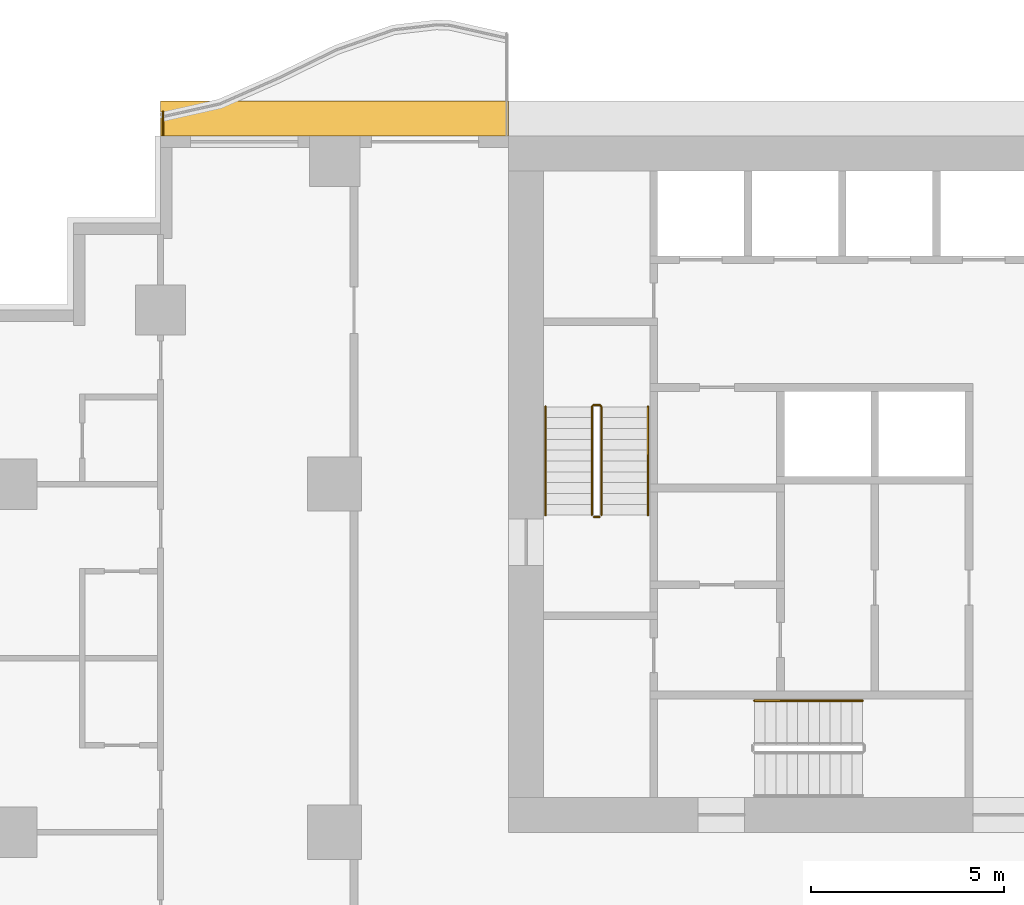
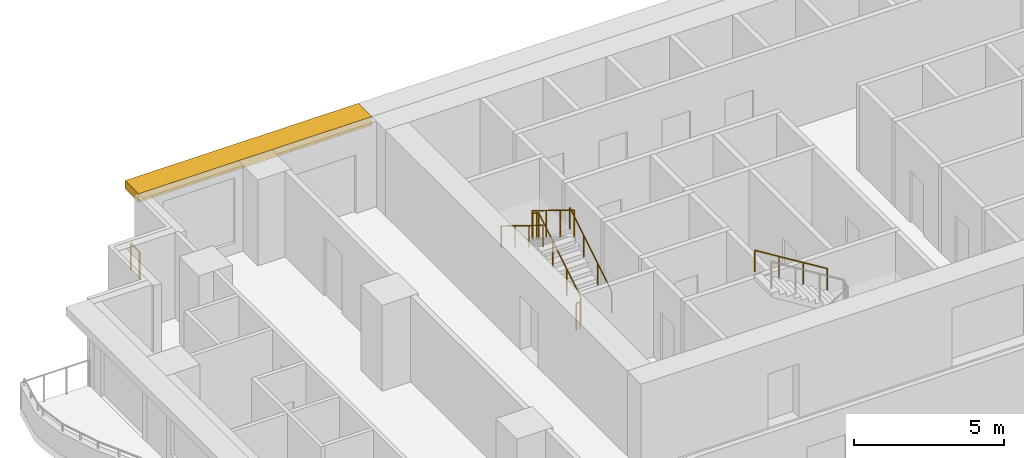
# One storey, part 12 of 14: 6 railings, 1 shading device.
"""IFC4 building model written with IfcOpenShell, lengths in metres."""

from ifc_helpers import new_model, si_unit, direction, frame, origin, origin_2d, place, context, subcontext, project, spatial, polyline, rectangle, circle, outline, extrude, material, layer, layer_set, type_object, element, save


model = new_model("IFC4")

# Units and contexts
model_context = context("Model", 3, precision=1e-05, world=origin(), true_north=direction((0.0, 1.0)))
body_context = subcontext(model_context, "Body", "Model", "MODEL_VIEW")
ifc_project = project(units=[si_unit("LENGTHUNIT", "METRE"), si_unit("AREAUNIT", "SQUARE_METRE"), si_unit("VOLUMEUNIT", "CUBIC_METRE"), si_unit("PLANEANGLEUNIT", "RADIAN"), si_unit("MASSUNIT", "GRAM", prefix="KILO")], contexts=[model_context])

# Site, building, storey
site_placement = place(None, origin())
site = spatial("IfcSite", under=ifc_project, at=site_placement, CompositionType="ELEMENT")
building_placement = place(site_placement, origin())
building = spatial("IfcBuilding", under=site, at=building_placement, Name="Orbiselva Terraces", CompositionType="ELEMENT")
storey_placement = place(building_placement, frame((0.0, 0.0, 80.8)))
storey = spatial("IfcBuildingStorey", under=building, at=storey_placement, Name="L20", CompositionType="ELEMENT", Elevation=80.8)

# Railings
ifc_material_1 = material(Name="Stainless steel", Category="steel")
railing_type_1 = type_object("IfcRailingType", Name="CORE-GUARD-1100", PredefinedType="GUARDRAIL", material=ifc_material_1)
railing_1_placement = place(storey_placement, frame((-11.1, 12.7, 0.172727)))
element("IfcRailing", 1, at=railing_1_placement, inside=storey, type_object=railing_type_1, Name="L20 S1 stair guard 1", PredefinedType="GUARDRAIL", context=body_context, shape_type="SweptSolid", body=[
    extrude(circle(Radius=0.024, at=origin_2d()), frame((0.0, 0.0, 1.081), z_axis=(0.0, 0.851088519012, 0.52502222125), x_axis=(-1.0, 0.0, 0.0)), (0.0, 0.0, 1.0), 3.289905),
    extrude(circle(Radius=0.024, at=origin_2d()), frame((0.0, 2.8, 2.808273), z_axis=(-0.707106781187, 0.707106781187, 0.0), x_axis=(-0.707106781187, -0.707106781187, 0.0)), (0.0, 0.0, 1.0), 0.070711),
    extrude(circle(Radius=0.024, at=origin_2d()), frame((-0.05, 2.85, 2.808273), z_axis=(-1.0, 0.0, 0.0), x_axis=(0.0, -1.0, 0.0)), (0.0, 0.0, 1.0), 0.15),
    extrude(circle(Radius=0.024, at=origin_2d()), frame((-0.2, 2.85, 2.808273), z_axis=(-0.267894925557, -0.267894925557, 0.925453736133), x_axis=(0.707106781187, -0.707106781187, 0.0)), (0.0, 0.0, 1.0), 0.18664),
    extrude(circle(Radius=0.024, at=origin_2d()), frame((-0.25, 2.8, 2.981), z_axis=(0.0, -0.851088519012, 0.52502222125), x_axis=(1.0, 0.0, 0.0)), (0.0, 0.0, 1.0), 3.289905),
    extrude(circle(Radius=0.021, at=origin_2d()), origin(), (0.0, 0.0, 1.0), 1.057),
    extrude(circle(Radius=0.021, at=origin_2d()), frame((0.0, 0.933333, 0.575758)), (0.0, 0.0, 1.0), 1.057),
    extrude(circle(Radius=0.021, at=origin_2d()), frame((0.0, 1.866667, 1.151515)), (0.0, 0.0, 1.0), 1.057),
    extrude(circle(Radius=0.021, at=origin_2d()), frame((0.0, 2.8, 1.727273)), (0.0, 0.0, 1.0), 1.057),
    extrude(circle(Radius=0.021, at=origin_2d()), frame((-0.05, 2.85, 1.727273)), (0.0, 0.0, 1.0), 1.057),
    extrude(circle(Radius=0.021, at=origin_2d()), frame((-0.2, 2.85, 1.727273)), (0.0, 0.0, 1.0), 1.057),
    extrude(circle(Radius=0.021, at=origin_2d()), frame((-0.25, 2.8, 1.9)), (0.0, 0.0, 1.0), 1.057),
    extrude(circle(Radius=0.021, at=origin_2d()), frame((-0.25, 1.866667, 2.475758)), (0.0, 0.0, 1.0), 1.057),
    extrude(circle(Radius=0.021, at=origin_2d()), frame((-0.25, 0.933333, 3.051515)), (0.0, 0.0, 1.0), 1.057),
    extrude(circle(Radius=0.021, at=origin_2d()), frame((-0.25, 0.0, 3.627273)), (0.0, 0.0, 1.0), 1.057),
])
railing_2_placement = place(storey_placement, frame((-11.15, 12.65, 0.0)))
element("IfcRailing", 2, at=railing_2_placement, inside=storey, type_object=railing_type_1, Name="L20 S1 stair guard 2", PredefinedType="GUARDRAIL", context=body_context, shape_type="SweptSolid", body=[
    extrude(circle(Radius=0.024, at=origin_2d()), frame((0.0, 0.0, 1.081), z_axis=(-1.0, 0.0, 0.0), x_axis=(0.0, -1.0, 0.0)), (0.0, 0.0, 1.0), 0.15),
    extrude(circle(Radius=0.021, at=origin_2d()), origin(), (0.0, 0.0, 1.0), 1.057),
    extrude(circle(Radius=0.021, at=origin_2d()), frame((-0.15, 0.0, 0.0)), (0.0, 0.0, 1.0), 1.057),
])
railing_type_2 = type_object("IfcRailingType", Name="CORE-HANDRAIL-900", PredefinedType="HANDRAIL", material=ifc_material_1)
railing_3_placement = place(storey_placement, frame((-9.9, 12.7, 0.172727)))
element("IfcRailing", 3, at=railing_3_placement, inside=storey, type_object=railing_type_2, Name="L20 S1 stair handrail 1", PredefinedType="HANDRAIL", context=body_context, shape_type="SweptSolid", body=[
    extrude(circle(Radius=0.024, at=origin_2d()), frame((0.0, 0.0, 0.876), z_axis=(0.0, 0.851088519012, 0.52502222125), x_axis=(-1.0, 0.0, 0.0)), (0.0, 0.0, 1.0), 3.289905),
    extrude(circle(Radius=0.021, at=origin_2d()), origin(), (0.0, 0.0, 1.0), 0.852),
    extrude(circle(Radius=0.021, at=origin_2d()), frame((0.0, 0.933333, 0.575758)), (0.0, 0.0, 1.0), 0.852),
    extrude(circle(Radius=0.021, at=origin_2d()), frame((0.0, 1.866667, 1.151515)), (0.0, 0.0, 1.0), 0.852),
    extrude(circle(Radius=0.021, at=origin_2d()), frame((0.0, 2.8, 1.727273)), (0.0, 0.0, 1.0), 0.852),
])
railing_4_placement = place(storey_placement, frame((-12.55, 15.5, 2.072727)))
element("IfcRailing", 4, at=railing_4_placement, inside=storey, type_object=railing_type_2, Name="L20 S1 stair handrail 2", PredefinedType="HANDRAIL", context=body_context, shape_type="SweptSolid", body=[
    extrude(circle(Radius=0.024, at=origin_2d()), frame((0.0, 0.0, 0.876), z_axis=(0.0, -0.851088519012, 0.52502222125), x_axis=(1.0, 0.0, 0.0)), (0.0, 0.0, 1.0), 3.289905),
    extrude(circle(Radius=0.021, at=origin_2d()), origin(), (0.0, 0.0, 1.0), 0.852),
    extrude(circle(Radius=0.021, at=origin_2d()), frame((0.0, -0.933333, 0.575758)), (0.0, 0.0, 1.0), 0.852),
    extrude(circle(Radius=0.021, at=origin_2d()), frame((0.0, -1.866667, 1.151515)), (0.0, 0.0, 1.0), 0.852),
    extrude(circle(Radius=0.021, at=origin_2d()), frame((0.0, -2.8, 1.727273)), (0.0, 0.0, 1.0), 0.852),
])
railing_5_placement = place(storey_placement, frame((-4.35, 7.9, 2.072727)))
element("IfcRailing", 5, at=railing_5_placement, inside=storey, type_object=railing_type_2, Name="L20 S3 stair handrail 2", PredefinedType="HANDRAIL", context=body_context, shape_type="SweptSolid", body=[
    extrude(circle(Radius=0.024, at=origin_2d()), frame((0.0, 0.0, 0.876), z_axis=(-0.851088519012, 0.0, 0.52502222125), x_axis=(0.0, -1.0, 0.0)), (0.0, 0.0, 1.0), 3.289905),
    extrude(circle(Radius=0.021, at=origin_2d()), origin(), (0.0, 0.0, 1.0), 0.852),
    extrude(circle(Radius=0.021, at=origin_2d()), frame((-0.933333, 0.0, 0.575758)), (0.0, 0.0, 1.0), 0.852),
    extrude(circle(Radius=0.021, at=origin_2d()), frame((-1.866667, 0.0, 1.151515)), (0.0, 0.0, 1.0), 0.852),
    extrude(circle(Radius=0.021, at=origin_2d()), frame((-2.8, 0.0, 1.727273)), (0.0, 0.0, 1.0), 0.852),
])
ifc_material_2 = material(Name="Stainless steel rail and posts", Category="steel")
railing_type_3 = type_object("IfcRailingType", Name="ENV-GUARD-1105", PredefinedType="BALUSTRADE", material=ifc_material_2)
railing_6_placement = place(storey_placement, frame((-22.44, 23.119866, 0.0)))
element("IfcRailing", 6, at=railing_6_placement, inside=storey, type_object=railing_type_3, Name="Balcony end guard L20 NW", PredefinedType="BALUSTRADE", context=body_context, shape_type="SweptSolid", body=[
    extrude(outline(polyline([(0.028868, 0.0), (0.014434, 0.025), (-0.014434, 0.025), (-0.028868, 0.0), (-0.014434, -0.025), (0.014434, -0.025), (0.028868, 0.0)])), frame((0.0, 0.0, 1.08), z_axis=(0.0, -1.0, 0.0), x_axis=(1.0, 0.0, 0.0)), (0.0, 0.0, 1.0), 0.594866),
    extrude(rectangle(XDim=0.05, YDim=0.05, at=origin_2d()), origin(), (0.0, 0.0, 1.0), 1.055),
    extrude(rectangle(XDim=0.05, YDim=0.05, at=origin_2d()), frame((0.0, -0.594866, 0.0)), (0.0, 0.0, 1.0), 1.055),
])

# Shading device
ifc_material_3 = material(Name="Terracotta baguette sunshade", Category="masonry")
ifc_layer = layer(ifc_material_3, 0.35)
ifc_layer_set = layer_set([ifc_layer], Name="Terracotta baguette sunshade")
shading_device_type = type_object("IfcShadingDeviceType", Name="ENV-SUNSHADE-900x350", PredefinedType="USERDEFINED", material=ifc_layer_set)
shading_device_placement = place(storey_placement, frame((0.0, 0.0, 3.15)))
element("IfcShadingDevice", 7, at=shading_device_placement, inside=storey, type_object=shading_device_type, Name="Sunshade band L20 NW", ObjectType="SUNSHADE", PredefinedType="USERDEFINED", context=body_context, shape_type="SweptSolid", body=[
    extrude(outline(polyline([(-13.5, 23.4), (-22.5, 23.4), (-22.5, 22.5), (-13.5, 22.5), (-13.5, 23.4)])), origin(), (0.0, 0.0, 1.0), 0.35),
])

save(model, "model.ifc")
